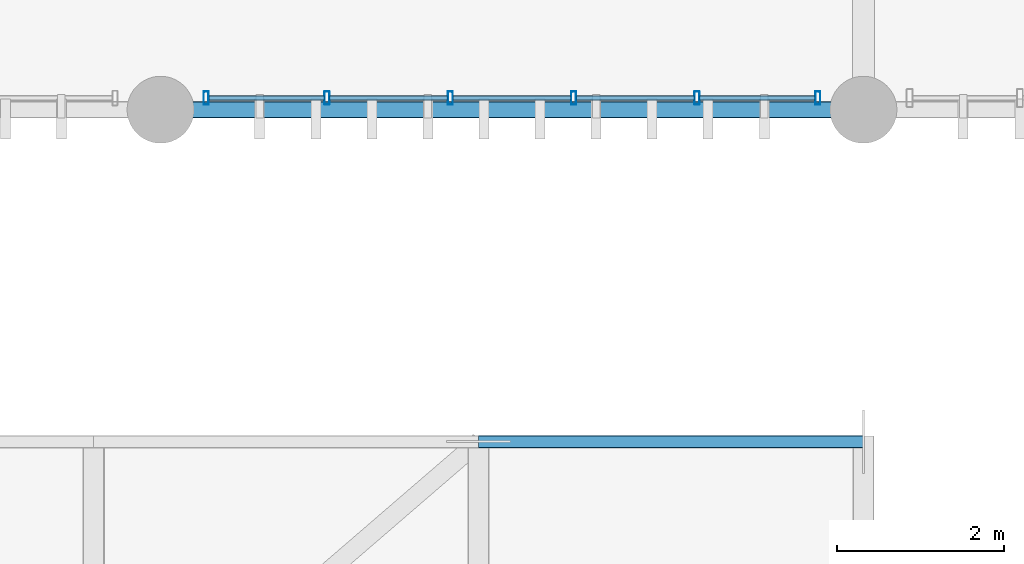
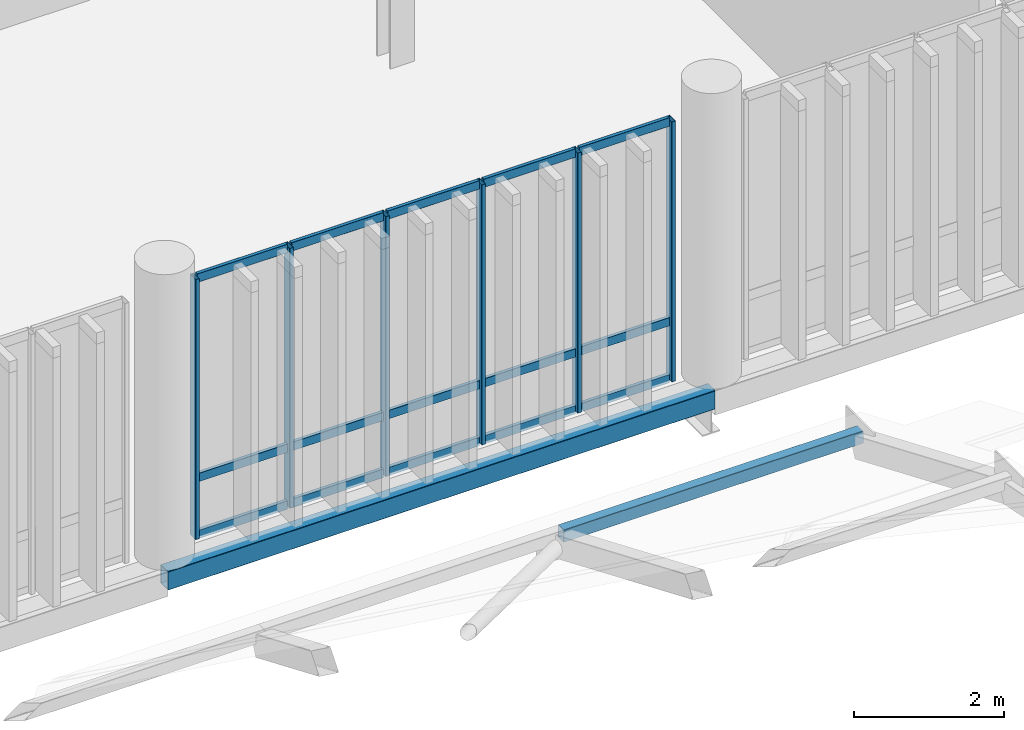
# One storey, part 16 of 94: 22 members, 1 beam, 1 element without a shape of its own.
"""IFC4 building model written with IfcOpenShell, lengths in metres."""

from ifc_helpers import new_model, si_unit, direction, frame, origin_with_axes, origin_2d_with_axis, place, context, subcontext, project, spatial, hollow_rectangle, extrude, material, material_profile, profile_set, type_object, element, aggregate, save


model = new_model("IFC4")

# Units and contexts
model_context = context("Model", 3, precision=1e-05, world=origin_with_axes(), true_north=direction((0.0, 1.0)))
body_context = subcontext(model_context, "Body", "Model", "MODEL_VIEW")
ifc_project = project(units=[si_unit("LENGTHUNIT", "METRE"), si_unit("AREAUNIT", "SQUARE_METRE"), si_unit("VOLUMEUNIT", "CUBIC_METRE"), si_unit("PLANEANGLEUNIT", "RADIAN"), si_unit("MASSUNIT", "GRAM", prefix="KILO"), si_unit("THERMODYNAMICTEMPERATUREUNIT", "KELVIN")], contexts=[model_context])

# Site, building, storey
site_placement = place(None, origin_with_axes())
site = spatial("IfcSite", under=ifc_project, at=site_placement, CompositionType="ELEMENT")
building_placement = place(site_placement, origin_with_axes())
building = spatial("IfcBuilding", under=site, at=building_placement, Name="Montbau Bow Law Courts", CompositionType="ELEMENT")
storey_placement = place(building_placement, frame((0.0, 0.0, 15.6), z_axis=(0.0, 0.0, 1.0), x_axis=(1.0, 0.0, 0.0)))
storey = spatial("IfcBuildingStorey", under=building, at=storey_placement, Name="L03", CompositionType="ELEMENT", Elevation=15.6)

# Beam
ifc_material_1 = material(Name="Steel CSA G40.21 Grade 350WT (350 MPa)", Category="steel")
ifc_material_profile_1 = material_profile(ifc_material_1, hollow_rectangle(XDim=0.203, YDim=0.305, WallThickness=0.0127, InnerFilletRadius=0.0254, OuterFilletRadius=0.0127, at=origin_2d_with_axis()), Name="HSS305X203X13", Category="Main", Priority=0)
ifc_profile_set_1 = profile_set([ifc_material_profile_1], Name="Steel CSA G40.21 Grade 350WT (350 MPa)")
beam_type = type_object("IfcBeamType", Name="B-SPN-02", PredefinedType="SPANDREL", material=ifc_profile_set_1)
beam_placement = place(None, frame((30.6, 30.6, 15.207), z_axis=(1.0, 0.0, 0.0), x_axis=(0.0, 1.0, 0.0)))
element("IfcBeam", 1, at=beam_placement, inside=storey, type_object=beam_type, Name="SPN-L03-S0584:bm2_0587", PredefinedType="SPANDREL", context=body_context, shape_type="SweptSolid", body=[
    extrude(hollow_rectangle(XDim=0.203, YDim=0.305, WallThickness=0.0127, InnerFilletRadius=0.0254, OuterFilletRadius=0.0127, at=origin_2d_with_axis()), origin_with_axes(), (0.0, 0.0, 1.0), 8.4),
])

# Curtain wall, members
ifc_material_2 = material(Name="Thermally Broken Extruded Aluminium AA 6063-T6", Category="aluminium")
curtain_wall_type = type_object("IfcCurtainWallType", Name="CW-TRC-01", PredefinedType="NOTDEFINED", material=ifc_material_2)
curtain_wall_placement = place(None, frame((31.115, 30.74, 15.6), z_axis=(0.0, 0.0, 1.0), x_axis=(1.0, 0.0, 0.0)))
curtain_wall = element("IfcCurtainWall", 2, at=curtain_wall_placement, inside=storey, type_object=curtain_wall_type, Name="CW-L03-053:cw_0053", PredefinedType="NOTDEFINED")
ifc_material_profile_2 = material_profile(ifc_material_2, hollow_rectangle(XDim=0.06, YDim=0.16, WallThickness=0.004, InnerFilletRadius=0.008, OuterFilletRadius=0.004, at=origin_2d_with_axis()), Name="CWM-160X60", Category="Main", Priority=0)
ifc_profile_set_2 = profile_set([ifc_material_profile_2], Name="Thermally Broken Extruded Aluminium AA 6063-T6")
member_type_1 = type_object("IfcMemberType", Name="M-MUL-03", PredefinedType="MULLION", material=ifc_profile_set_2)
member_1_placement = place(None, frame((31.145, 30.74, 15.6), z_axis=(0.0, 0.0, 1.0), x_axis=(1.0, 0.0, 0.0)))
member_1 = element("IfcMember", 3, at=member_1_placement, type_object=member_type_1, Name="CW-L03-053-M01:cw_0053_M01", PredefinedType="MULLION", context=body_context, shape_type="SweptSolid", body=[
    extrude(hollow_rectangle(XDim=0.06, YDim=0.16, WallThickness=0.004, InnerFilletRadius=0.008, OuterFilletRadius=0.004, at=origin_2d_with_axis()), origin_with_axes(), (0.0, 0.0, 1.0), 4.22),
])
member_2_placement = place(None, frame((32.589, 30.74, 15.6), z_axis=(0.0, 0.0, 1.0), x_axis=(1.0, 0.0, 0.0)))
member_2 = element("IfcMember", 4, at=member_2_placement, type_object=member_type_1, Name="CW-L03-053-M02:cw_0053_M02", PredefinedType="MULLION", context=body_context, shape_type="SweptSolid", body=[
    extrude(hollow_rectangle(XDim=0.06, YDim=0.16, WallThickness=0.004, InnerFilletRadius=0.008, OuterFilletRadius=0.004, at=origin_2d_with_axis()), origin_with_axes(), (0.0, 0.0, 1.0), 4.22),
])
member_3_placement = place(None, frame((34.063, 30.74, 15.6), z_axis=(0.0, 0.0, 1.0), x_axis=(1.0, 0.0, 0.0)))
member_3 = element("IfcMember", 5, at=member_3_placement, type_object=member_type_1, Name="CW-L03-053-M03:cw_0053_M03", PredefinedType="MULLION", context=body_context, shape_type="SweptSolid", body=[
    extrude(hollow_rectangle(XDim=0.06, YDim=0.16, WallThickness=0.004, InnerFilletRadius=0.008, OuterFilletRadius=0.004, at=origin_2d_with_axis()), origin_with_axes(), (0.0, 0.0, 1.0), 4.22),
])
member_4_placement = place(None, frame((35.537, 30.74, 15.6), z_axis=(0.0, 0.0, 1.0), x_axis=(1.0, 0.0, 0.0)))
member_4 = element("IfcMember", 6, at=member_4_placement, type_object=member_type_1, Name="CW-L03-053-M04:cw_0053_M04", PredefinedType="MULLION", context=body_context, shape_type="SweptSolid", body=[
    extrude(hollow_rectangle(XDim=0.06, YDim=0.16, WallThickness=0.004, InnerFilletRadius=0.008, OuterFilletRadius=0.004, at=origin_2d_with_axis()), origin_with_axes(), (0.0, 0.0, 1.0), 4.22),
])
member_5_placement = place(None, frame((37.011, 30.74, 15.6), z_axis=(0.0, 0.0, 1.0), x_axis=(1.0, 0.0, 0.0)))
member_5 = element("IfcMember", 7, at=member_5_placement, type_object=member_type_1, Name="CW-L03-053-M05:cw_0053_M05", PredefinedType="MULLION", context=body_context, shape_type="SweptSolid", body=[
    extrude(hollow_rectangle(XDim=0.06, YDim=0.16, WallThickness=0.004, InnerFilletRadius=0.008, OuterFilletRadius=0.004, at=origin_2d_with_axis()), origin_with_axes(), (0.0, 0.0, 1.0), 4.22),
])
member_6_placement = place(None, frame((38.455, 30.74, 15.6), z_axis=(0.0, 0.0, 1.0), x_axis=(1.0, 0.0, 0.0)))
member_6 = element("IfcMember", 8, at=member_6_placement, type_object=member_type_1, Name="CW-L03-053-M06:cw_0053_M06", PredefinedType="MULLION", context=body_context, shape_type="SweptSolid", body=[
    extrude(hollow_rectangle(XDim=0.06, YDim=0.16, WallThickness=0.004, InnerFilletRadius=0.008, OuterFilletRadius=0.004, at=origin_2d_with_axis()), origin_with_axes(), (0.0, 0.0, 1.0), 4.22),
])

# Member
ifc_material_profile_3 = material_profile(ifc_material_1, hollow_rectangle(XDim=0.152, YDim=0.203, WallThickness=0.0095, InnerFilletRadius=0.019, OuterFilletRadius=0.0095, at=origin_2d_with_axis()), Name="HSS203X152X9.5", Category="Main", Priority=0)
ifc_profile_set_3 = profile_set([ifc_material_profile_3], Name="Steel CSA G40.21 Grade 350WT (350 MPa)")
member_type_2 = type_object("IfcMemberType", Name="M-PUR-01", PredefinedType="PURLIN", material=ifc_profile_set_3)
member_7_placement = place(None, frame((34.4, 26.633, 16.994), z_axis=(1.0, 0.0, 0.0), x_axis=(0.0, 1.0, 0.0)))
element("IfcMember", 9, at=member_7_placement, inside=storey, type_object=member_type_2, Name="Barrel vault roof truss purlin V1-048", PredefinedType="PURLIN", context=body_context, shape_type="SweptSolid", body=[
    extrude(hollow_rectangle(XDim=0.152, YDim=0.203, WallThickness=0.0095, InnerFilletRadius=0.019, OuterFilletRadius=0.0095, at=origin_2d_with_axis()), origin_with_axes(), (0.0, 0.0, 1.0), 4.6),
])

ifc_material_profile_4 = material_profile(ifc_material_2, hollow_rectangle(XDim=0.055, YDim=0.14, WallThickness=0.004, InnerFilletRadius=0.008, OuterFilletRadius=0.004, at=origin_2d_with_axis()), Name="CWT-140X55", Category="Main", Priority=0)
ifc_profile_set_4 = profile_set([ifc_material_profile_4], Name="Thermally Broken Extruded Aluminium AA 6063-T6")
member_type_3 = type_object("IfcMemberType", Name="M-TRN-02", PredefinedType="USERDEFINED", material=ifc_profile_set_4)
member_8_placement = place(None, frame((31.177, 30.74, 15.627), z_axis=(1.0, 0.0, 0.0), x_axis=(0.0, 1.0, 0.0)))
member_8 = element("IfcMember", 10, at=member_8_placement, type_object=member_type_3, Name="CW-L03-053-T01-1:cw_0053_T01_1", ObjectType="TRANSOM", PredefinedType="USERDEFINED", context=body_context, shape_type="SweptSolid", body=[
    extrude(hollow_rectangle(XDim=0.055, YDim=0.14, WallThickness=0.004, InnerFilletRadius=0.008, OuterFilletRadius=0.004, at=origin_2d_with_axis()), origin_with_axes(), (0.0, 0.0, 1.0), 1.38),
])

member_9_placement = place(None, frame((31.177, 30.74, 16.55), z_axis=(1.0, 0.0, 0.0), x_axis=(0.0, 1.0, 0.0)))
member_9 = element("IfcMember", 11, at=member_9_placement, type_object=member_type_3, Name="CW-L03-053-T01-2:cw_0053_T01_2", ObjectType="TRANSOM", PredefinedType="USERDEFINED", context=body_context, shape_type="SweptSolid", body=[
    extrude(hollow_rectangle(XDim=0.055, YDim=0.14, WallThickness=0.004, InnerFilletRadius=0.008, OuterFilletRadius=0.004, at=origin_2d_with_axis()), origin_with_axes(), (0.0, 0.0, 1.0), 1.38),
])

member_10_placement = place(None, frame((31.177, 30.74, 19.793), z_axis=(1.0, 0.0, 0.0), x_axis=(0.0, 1.0, 0.0)))
member_10 = element("IfcMember", 12, at=member_10_placement, type_object=member_type_3, Name="CW-L03-053-T01-3:cw_0053_T01_3", ObjectType="TRANSOM", PredefinedType="USERDEFINED", context=body_context, shape_type="SweptSolid", body=[
    extrude(hollow_rectangle(XDim=0.055, YDim=0.14, WallThickness=0.004, InnerFilletRadius=0.008, OuterFilletRadius=0.004, at=origin_2d_with_axis()), origin_with_axes(), (0.0, 0.0, 1.0), 1.38),
])

member_11_placement = place(None, frame((32.621, 30.74, 15.627), z_axis=(1.0, 0.0, 0.0), x_axis=(0.0, 1.0, 0.0)))
member_11 = element("IfcMember", 13, at=member_11_placement, type_object=member_type_3, Name="CW-L03-053-T02-1:cw_0053_T02_1", ObjectType="TRANSOM", PredefinedType="USERDEFINED", context=body_context, shape_type="SweptSolid", body=[
    extrude(hollow_rectangle(XDim=0.055, YDim=0.14, WallThickness=0.004, InnerFilletRadius=0.008, OuterFilletRadius=0.004, at=origin_2d_with_axis()), origin_with_axes(), (0.0, 0.0, 1.0), 1.41),
])

member_12_placement = place(None, frame((32.621, 30.74, 16.55), z_axis=(1.0, 0.0, 0.0), x_axis=(0.0, 1.0, 0.0)))
member_12 = element("IfcMember", 14, at=member_12_placement, type_object=member_type_3, Name="CW-L03-053-T02-2:cw_0053_T02_2", ObjectType="TRANSOM", PredefinedType="USERDEFINED", context=body_context, shape_type="SweptSolid", body=[
    extrude(hollow_rectangle(XDim=0.055, YDim=0.14, WallThickness=0.004, InnerFilletRadius=0.008, OuterFilletRadius=0.004, at=origin_2d_with_axis()), origin_with_axes(), (0.0, 0.0, 1.0), 1.41),
])

member_13_placement = place(None, frame((32.621, 30.74, 19.793), z_axis=(1.0, 0.0, 0.0), x_axis=(0.0, 1.0, 0.0)))
member_13 = element("IfcMember", 15, at=member_13_placement, type_object=member_type_3, Name="CW-L03-053-T02-3:cw_0053_T02_3", ObjectType="TRANSOM", PredefinedType="USERDEFINED", context=body_context, shape_type="SweptSolid", body=[
    extrude(hollow_rectangle(XDim=0.055, YDim=0.14, WallThickness=0.004, InnerFilletRadius=0.008, OuterFilletRadius=0.004, at=origin_2d_with_axis()), origin_with_axes(), (0.0, 0.0, 1.0), 1.41),
])

member_14_placement = place(None, frame((34.095, 30.74, 15.627), z_axis=(1.0, 0.0, 0.0), x_axis=(0.0, 1.0, 0.0)))
member_14 = element("IfcMember", 16, at=member_14_placement, type_object=member_type_3, Name="CW-L03-053-T03-1:cw_0053_T03_1", ObjectType="TRANSOM", PredefinedType="USERDEFINED", context=body_context, shape_type="SweptSolid", body=[
    extrude(hollow_rectangle(XDim=0.055, YDim=0.14, WallThickness=0.004, InnerFilletRadius=0.008, OuterFilletRadius=0.004, at=origin_2d_with_axis()), origin_with_axes(), (0.0, 0.0, 1.0), 1.41),
])

member_15_placement = place(None, frame((34.095, 30.74, 16.55), z_axis=(1.0, 0.0, 0.0), x_axis=(0.0, 1.0, 0.0)))
member_15 = element("IfcMember", 17, at=member_15_placement, type_object=member_type_3, Name="CW-L03-053-T03-2:cw_0053_T03_2", ObjectType="TRANSOM", PredefinedType="USERDEFINED", context=body_context, shape_type="SweptSolid", body=[
    extrude(hollow_rectangle(XDim=0.055, YDim=0.14, WallThickness=0.004, InnerFilletRadius=0.008, OuterFilletRadius=0.004, at=origin_2d_with_axis()), origin_with_axes(), (0.0, 0.0, 1.0), 1.41),
])

member_16_placement = place(None, frame((34.095, 30.74, 19.793), z_axis=(1.0, 0.0, 0.0), x_axis=(0.0, 1.0, 0.0)))
member_16 = element("IfcMember", 18, at=member_16_placement, type_object=member_type_3, Name="CW-L03-053-T03-3:cw_0053_T03_3", ObjectType="TRANSOM", PredefinedType="USERDEFINED", context=body_context, shape_type="SweptSolid", body=[
    extrude(hollow_rectangle(XDim=0.055, YDim=0.14, WallThickness=0.004, InnerFilletRadius=0.008, OuterFilletRadius=0.004, at=origin_2d_with_axis()), origin_with_axes(), (0.0, 0.0, 1.0), 1.41),
])

member_17_placement = place(None, frame((35.569, 30.74, 15.627), z_axis=(1.0, 0.0, 0.0), x_axis=(0.0, 1.0, 0.0)))
member_17 = element("IfcMember", 19, at=member_17_placement, type_object=member_type_3, Name="CW-L03-053-T04-1:cw_0053_T04_1", ObjectType="TRANSOM", PredefinedType="USERDEFINED", context=body_context, shape_type="SweptSolid", body=[
    extrude(hollow_rectangle(XDim=0.055, YDim=0.14, WallThickness=0.004, InnerFilletRadius=0.008, OuterFilletRadius=0.004, at=origin_2d_with_axis()), origin_with_axes(), (0.0, 0.0, 1.0), 1.41),
])

member_18_placement = place(None, frame((35.569, 30.74, 16.55), z_axis=(1.0, 0.0, 0.0), x_axis=(0.0, 1.0, 0.0)))
member_18 = element("IfcMember", 20, at=member_18_placement, type_object=member_type_3, Name="CW-L03-053-T04-2:cw_0053_T04_2", ObjectType="TRANSOM", PredefinedType="USERDEFINED", context=body_context, shape_type="SweptSolid", body=[
    extrude(hollow_rectangle(XDim=0.055, YDim=0.14, WallThickness=0.004, InnerFilletRadius=0.008, OuterFilletRadius=0.004, at=origin_2d_with_axis()), origin_with_axes(), (0.0, 0.0, 1.0), 1.41),
])

member_19_placement = place(None, frame((35.569, 30.74, 19.793), z_axis=(1.0, 0.0, 0.0), x_axis=(0.0, 1.0, 0.0)))
member_19 = element("IfcMember", 21, at=member_19_placement, type_object=member_type_3, Name="CW-L03-053-T04-3:cw_0053_T04_3", ObjectType="TRANSOM", PredefinedType="USERDEFINED", context=body_context, shape_type="SweptSolid", body=[
    extrude(hollow_rectangle(XDim=0.055, YDim=0.14, WallThickness=0.004, InnerFilletRadius=0.008, OuterFilletRadius=0.004, at=origin_2d_with_axis()), origin_with_axes(), (0.0, 0.0, 1.0), 1.41),
])

member_20_placement = place(None, frame((37.043, 30.74, 15.627), z_axis=(1.0, 0.0, 0.0), x_axis=(0.0, 1.0, 0.0)))
member_20 = element("IfcMember", 22, at=member_20_placement, type_object=member_type_3, Name="CW-L03-053-T05-1:cw_0053_T05_1", ObjectType="TRANSOM", PredefinedType="USERDEFINED", context=body_context, shape_type="SweptSolid", body=[
    extrude(hollow_rectangle(XDim=0.055, YDim=0.14, WallThickness=0.004, InnerFilletRadius=0.008, OuterFilletRadius=0.004, at=origin_2d_with_axis()), origin_with_axes(), (0.0, 0.0, 1.0), 1.38),
])

member_21_placement = place(None, frame((37.043, 30.74, 16.55), z_axis=(1.0, 0.0, 0.0), x_axis=(0.0, 1.0, 0.0)))
member_21 = element("IfcMember", 23, at=member_21_placement, type_object=member_type_3, Name="CW-L03-053-T05-2:cw_0053_T05_2", ObjectType="TRANSOM", PredefinedType="USERDEFINED", context=body_context, shape_type="SweptSolid", body=[
    extrude(hollow_rectangle(XDim=0.055, YDim=0.14, WallThickness=0.004, InnerFilletRadius=0.008, OuterFilletRadius=0.004, at=origin_2d_with_axis()), origin_with_axes(), (0.0, 0.0, 1.0), 1.38),
])

member_22_placement = place(None, frame((37.043, 30.74, 19.793), z_axis=(1.0, 0.0, 0.0), x_axis=(0.0, 1.0, 0.0)))
member_22 = element("IfcMember", 24, at=member_22_placement, type_object=member_type_3, Name="CW-L03-053-T05-3:cw_0053_T05_3", ObjectType="TRANSOM", PredefinedType="USERDEFINED", context=body_context, shape_type="SweptSolid", body=[
    extrude(hollow_rectangle(XDim=0.055, YDim=0.14, WallThickness=0.004, InnerFilletRadius=0.008, OuterFilletRadius=0.004, at=origin_2d_with_axis()), origin_with_axes(), (0.0, 0.0, 1.0), 1.38),
])

aggregate(curtain_wall, [member_1, member_2, member_3, member_4, member_5, member_6, member_8, member_9, member_10, member_11, member_12, member_13, member_14, member_15, member_16, member_17, member_18, member_19, member_20, member_21, member_22])

save(model, "model.ifc")
